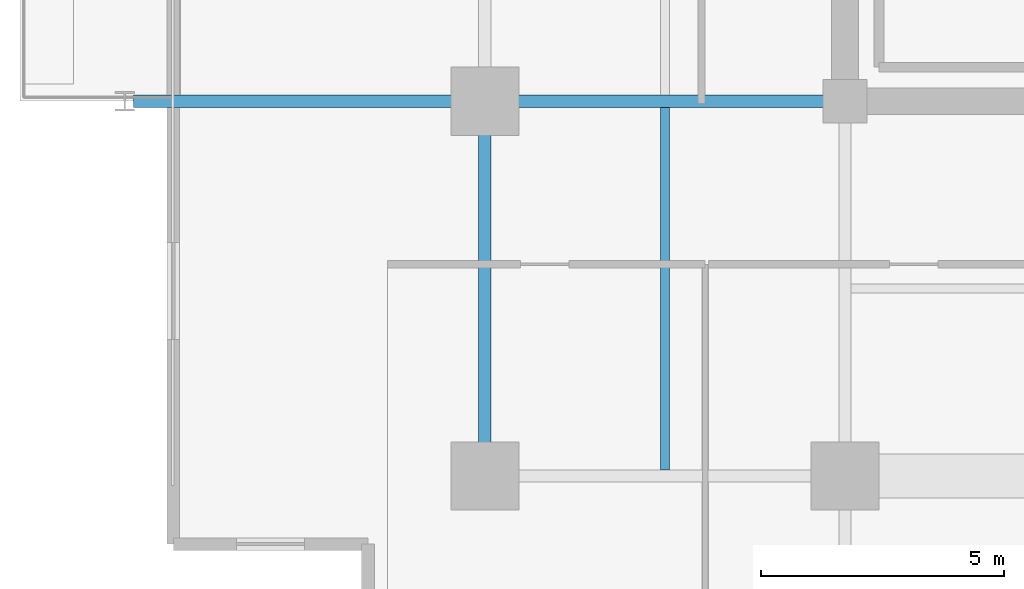
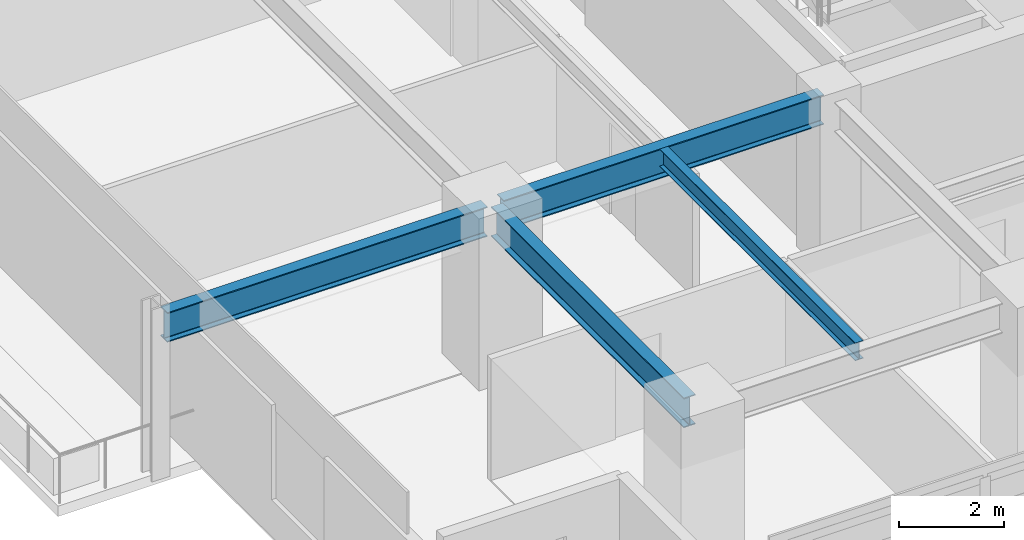
# One storey, part 3 of 21: 4 beams.
"""IFC4 building model written with IfcOpenShell, lengths in metres."""

from ifc_helpers import new_model, si_unit, direction, frame, origin, origin_2d, place, context, subcontext, project, spatial, i_section, extrude, material, material_profile, profile_set, type_object, element, save


model = new_model("IFC4")

# Units and contexts
model_context = context("Model", 3, precision=1e-05, world=origin(), true_north=direction((0.0, 1.0)))
body_context = subcontext(model_context, "Body", "Model", "MODEL_VIEW")
ifc_project = project(units=[si_unit("LENGTHUNIT", "METRE"), si_unit("AREAUNIT", "SQUARE_METRE"), si_unit("VOLUMEUNIT", "CUBIC_METRE"), si_unit("PLANEANGLEUNIT", "RADIAN"), si_unit("MASSUNIT", "GRAM", prefix="KILO")], contexts=[model_context])

# Site, building, storey
site_placement = place(None, origin())
site = spatial("IfcSite", under=ifc_project, at=site_placement, CompositionType="ELEMENT")
building_placement = place(site_placement, origin())
building = spatial("IfcBuilding", under=site, at=building_placement, Name="Kovane Verandah Tower", CompositionType="ELEMENT")
storey_placement = place(building_placement, frame((0.0, 0.0, 205.199951171875)))
storey = spatial("IfcBuildingStorey", under=building, at=storey_placement, Name="L47", CompositionType="ELEMENT", Elevation=205.199951171875)

# Beams
ifc_material = material(Name="Steel S355", Category="steel")
ifc_material_profile_1 = material_profile(ifc_material, i_section(OverallWidth=0.255859375, OverallDepth=0.69287109375, WebThickness=0.014404296875, FlangeThickness=0.023681640625, FilletRadius=0.01513671875, at=origin_2d()), Name="UB686x254x170")
ifc_profile_set_1 = profile_set([ifc_material_profile_1], Name="Steel S355")
beam_type_1 = type_object("IfcBeamType", Name="BM-UB686x170", PredefinedType="BEAM", material=ifc_profile_set_1)
beam_1_placement = place(storey_placement, frame((21.60009765625, 10.97998046875, 3.428466796875), z_axis=(0.0, 1.0, 0.0), x_axis=(-1.0, 0.0, 0.0)))
element("IfcBeam", 1, at=beam_1_placement, inside=storey, type_object=beam_type_1, Name="L47 Primary Tower Girder G-RW1", PredefinedType="BEAM", context=body_context, shape_type="SweptSolid", body=[
    extrude(i_section(OverallWidth=0.255859375, OverallDepth=0.69287109375, WebThickness=0.014404296875, FlangeThickness=0.023681640625, FilletRadius=0.01513671875, at=origin_2d()), origin(), (0.0, 0.0, 1.0), 7.340087890625),
])
for number, where, z_axis, x_axis, name in (
    (2, (28.820068359375, 18.5, 3.428466796875), (-1.0, 0.0, 0.0), (0.0, -1.0, 0.0), "L47 Primary Tower Girder G-W1"),
    (3, (21.419921875, 18.5, 3.41357421875), (-1.0, 0.0, 0.0), (0.0, -1.0, 0.0), "L47 Primary Tower Girder G-VW1"),
):
    element("IfcBeam", number, at=place(storey_placement, frame(where, z_axis=z_axis, x_axis=x_axis)), inside=storey, type_object=beam_type_1, Name=name, PredefinedType="BEAM", context=body_context, shape_type="SweptSolid", body=[
        extrude(i_section(OverallWidth=0.255859375, OverallDepth=0.69287109375, WebThickness=0.014404296875, FlangeThickness=0.023681640625, FilletRadius=0.01513671875, at=origin_2d()), origin(), (0.0, 0.0, 1.0), 7.0400390625),
    ])
ifc_material_profile_2 = material_profile(ifc_material, i_section(OverallWidth=0.179443359375, OverallDepth=0.412841796875, WebThickness=0.009521484375, FlangeThickness=0.01611328125, FilletRadius=0.01025390625, at=origin_2d()), Name="UB406x178x74")
ifc_profile_set_2 = profile_set([ifc_material_profile_2], Name="Steel S355")
beam_type_2 = type_object("IfcBeamType", Name="JST-UB406x74", PredefinedType="JOIST", material=ifc_profile_set_2)
beam_2_placement = place(storey_placement, frame((25.300048828125, 10.92578125, 3.568603515625), z_axis=(0.0, 1.0, 0.0), x_axis=(-1.0, 0.0, 0.0)))
element("IfcBeam", 4, at=beam_2_placement, inside=storey, type_object=beam_type_2, Name="L47 Secondary Composite Joist J-SW1", PredefinedType="JOIST", context=body_context, shape_type="SweptSolid", body=[
    extrude(i_section(OverallWidth=0.179443359375, OverallDepth=0.412841796875, WebThickness=0.009521484375, FlangeThickness=0.01611328125, FilletRadius=0.01025390625, at=origin_2d()), origin(), (0.0, 0.0, 1.0), 7.4482421875),
])

save(model, "model.ifc")
